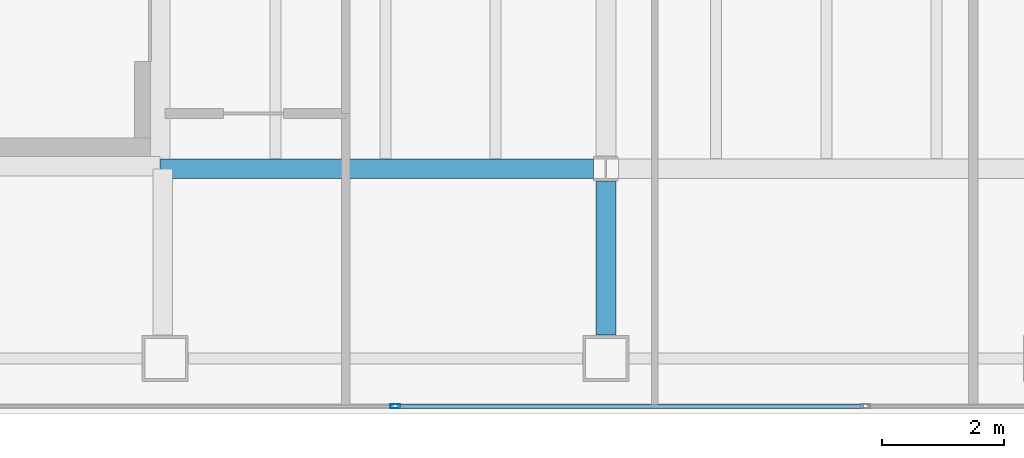
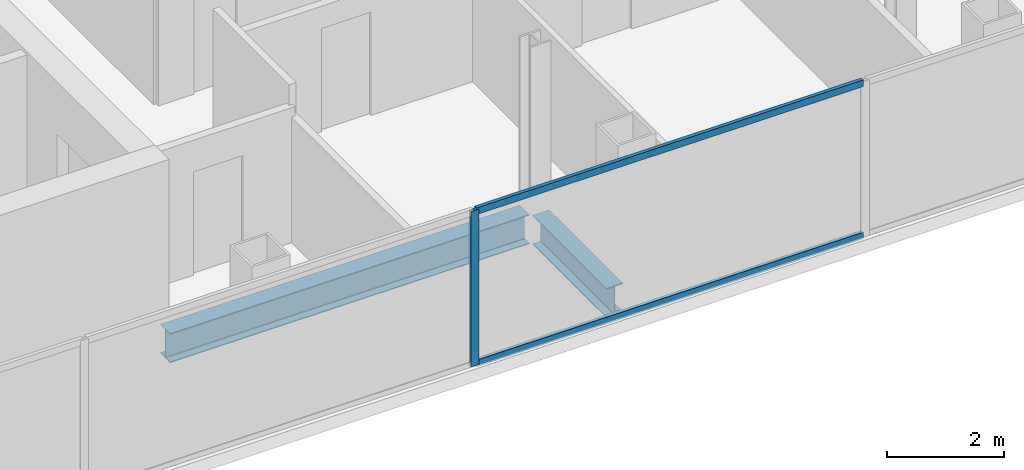
# One storey, part 4 of 23: 3 members, 2 beams, 1 element without a shape of its own.
"""IFC4 building model written with IfcOpenShell, lengths in metres."""

from ifc_helpers import new_model, si_unit, direction, frame, origin, origin_2d, place, context, subcontext, project, spatial, hollow_rectangle, i_section, extrude, material, material_profile, profile_set, type_object, element, aggregate, save


model = new_model("IFC4")

# Units and contexts
model_context = context("Model", 3, precision=1e-05, world=origin(), true_north=direction((0.0, 1.0)))
body_context = subcontext(model_context, "Body", "Model", "MODEL_VIEW")
ifc_project = project(units=[si_unit("LENGTHUNIT", "METRE"), si_unit("AREAUNIT", "SQUARE_METRE"), si_unit("VOLUMEUNIT", "CUBIC_METRE"), si_unit("PLANEANGLEUNIT", "RADIAN"), si_unit("MASSUNIT", "GRAM", prefix="KILO")], contexts=[model_context])

# Site, building, storey
site_placement = place(None, origin())
site = spatial("IfcSite", under=ifc_project, at=site_placement, CompositionType="ELEMENT")
building_placement = place(site_placement, origin())
building = spatial("IfcBuilding", under=site, at=building_placement, Name="Cobrela Telecom Tower", CompositionType="ELEMENT")
storey_placement = place(building_placement, frame((0.0, 0.0, 218.75)))
storey = spatial("IfcBuildingStorey", under=building, at=storey_placement, Name="L56", CompositionType="ELEMENT", Elevation=218.75)

# Beams
ifc_material_1 = material(Name="Steel ASTM A992 Grade 50", Category="steel")
ifc_material_profile_1 = material_profile(ifc_material_1, i_section(OverallWidth=0.324951171875, OverallDepth=0.612060546875, WebThickness=0.0126953125, FlangeThickness=0.01904296875, FilletRadius=0.014892578125, at=origin_2d()), Name="W24X104")
ifc_profile_set_1 = profile_set([ifc_material_profile_1], Name="Steel ASTM A992 Grade 50")
beam_type = type_object("IfcBeamType", Name="BM-GIRD-07", PredefinedType="USERDEFINED", material=ifc_profile_set_1)
beam_1_placement = place(storey_placement, frame((14.324951171875, 7.199951171875, -0.56591796875), z_axis=(1.0, 0.0, 0.0), x_axis=(0.0, 1.0, 0.0)))
element("IfcBeam", 1, at=beam_1_placement, inside=storey, type_object=beam_type, Name="L56 Primary Girder X07", ObjectType="GIRDER", PredefinedType="USERDEFINED", context=body_context, shape_type="SweptSolid", body=[
    extrude(i_section(OverallWidth=0.324951171875, OverallDepth=0.612060546875, WebThickness=0.0126953125, FlangeThickness=0.01904296875, FilletRadius=0.014892578125, at=origin_2d()), origin(), (0.0, 0.0, 1.0), 7.070556640625),
])
beam_2_placement = place(storey_placement, frame((21.60009765625, 4.47998046875, -0.56591796875), z_axis=(0.0, 1.0, 0.0), x_axis=(-1.0, 0.0, 0.0)))
element("IfcBeam", 2, at=beam_2_placement, inside=storey, type_object=beam_type, Name="L56 Primary Girder Y32", ObjectType="GIRDER", PredefinedType="USERDEFINED", context=body_context, shape_type="SweptSolid", body=[
    extrude(i_section(OverallWidth=0.324951171875, OverallDepth=0.612060546875, WebThickness=0.0126953125, FlangeThickness=0.01904296875, FilletRadius=0.014892578125, at=origin_2d()), origin(), (0.0, 0.0, 1.0), 2.515625),
])

# Curtain wall, members
ifc_material_2 = material(Name="Anodized Bronze Aluminium 6063-T6", Category="aluminium")
curtain_wall_type = type_object("IfcCurtainWallType", Name="CW-SYS-OFF-LO", PredefinedType="USERDEFINED", material=ifc_material_2)
curtain_wall_placement = place(storey_placement, origin())
curtain_wall = element("IfcCurtainWall", 3, at=curtain_wall_placement, inside=storey, type_object=curtain_wall_type, Name="L56 Unitised Bronze Curtain Wall 17", ObjectType="UNITISED CURTAIN WALL", PredefinedType="USERDEFINED")
ifc_material_profile_2 = material_profile(ifc_material_2, hollow_rectangle(XDim=0.070068359375, YDim=0.159912109375, WallThickness=0.00390625, at=origin_2d()), Name="ALU 70x160x4")
ifc_profile_set_2 = profile_set([ifc_material_profile_2], Name="Anodized Bronze Aluminium 6063-T6")
member_type_1 = type_object("IfcMemberType", Name="CW-SYS-OFF-LO-MUL", PredefinedType="MULLION", material=ifc_profile_set_2)
member_1_placement = place(storey_placement, frame((18.157958984375, 3.320068359375, 0.0), z_axis=(0.0, 0.0, 1.0), x_axis=(0.0, -1.0, 0.0)))
member_1 = element("IfcMember", 4, at=member_1_placement, type_object=member_type_1, Name="CW-OFF-LO mullion 4", PredefinedType="MULLION", context=body_context, shape_type="SweptSolid", body=[
    extrude(hollow_rectangle(XDim=0.070068359375, YDim=0.159912109375, WallThickness=0.00390625, at=origin_2d()), origin(), (0.0, 0.0, 1.0), 3.239990234375),
])
ifc_material_profile_3 = material_profile(ifc_material_2, hollow_rectangle(XDim=0.070068359375, YDim=0.139892578125, WallThickness=0.00390625, at=origin_2d()), Name="ALU 70x140x4")
ifc_profile_set_3 = profile_set([ifc_material_profile_3], Name="Anodized Bronze Aluminium 6063-T6")
member_type_2 = type_object("IfcMemberType", Name="CW-SYS-OFF-LO-TRN", PredefinedType="USERDEFINED", material=ifc_profile_set_3)
member_2_placement = place(storey_placement, frame((25.806884765625, 3.320068359375, 0.034912109375), z_axis=(-1.0, 0.0, 0.0), x_axis=(0.0, -1.0, 0.0)))
member_2 = element("IfcMember", 5, at=member_2_placement, type_object=member_type_2, Name="CW-OFF-LO transom 3.1", ObjectType="TRANSOM", PredefinedType="USERDEFINED", context=body_context, shape_type="SweptSolid", body=[
    extrude(hollow_rectangle(XDim=0.070068359375, YDim=0.139892578125, WallThickness=0.00390625, at=origin_2d()), origin(), (0.0, 0.0, 1.0), 7.61376953125),
])
member_3_placement = place(storey_placement, frame((25.806884765625, 3.320068359375, 3.205078125), z_axis=(-1.0, 0.0, 0.0), x_axis=(0.0, -1.0, 0.0)))
member_3 = element("IfcMember", 6, at=member_3_placement, type_object=member_type_2, Name="CW-OFF-LO transom 3.2", ObjectType="TRANSOM", PredefinedType="USERDEFINED", context=body_context, shape_type="SweptSolid", body=[
    extrude(hollow_rectangle(XDim=0.070068359375, YDim=0.139892578125, WallThickness=0.00390625, at=origin_2d()), origin(), (0.0, 0.0, 1.0), 7.61376953125),
])
aggregate(curtain_wall, [member_1, member_2, member_3])

save(model, "model.ifc")
